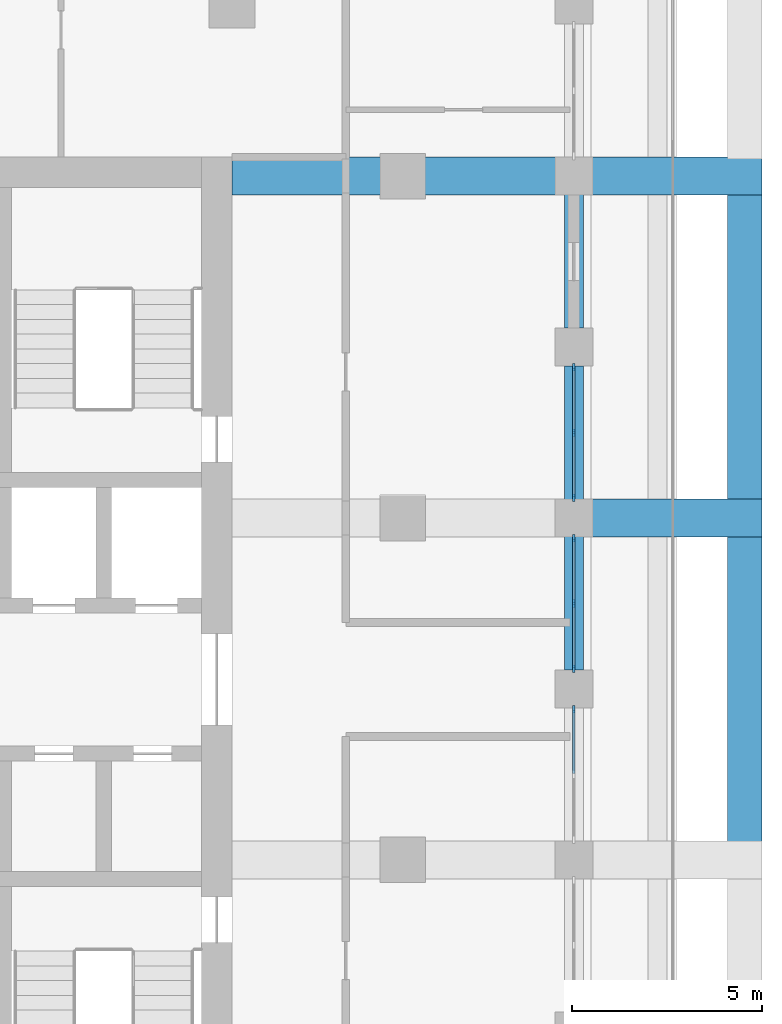
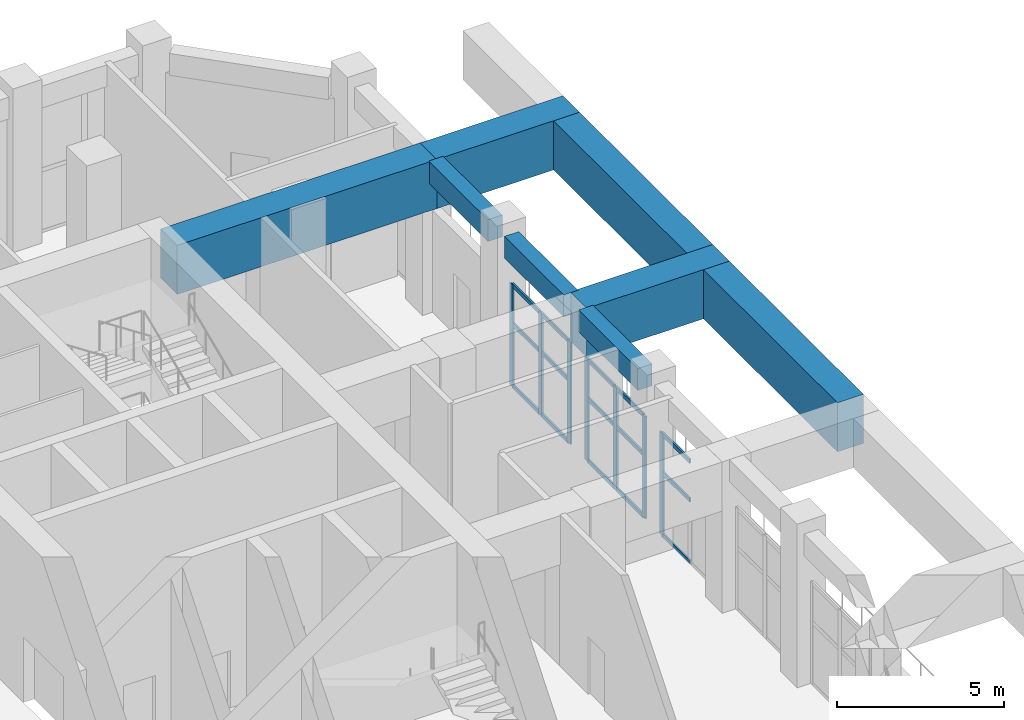
# One storey, part 8 of 25: 22 members, 8 beams, 3 elements without a shape of their own.
"""IFC4 building model written with IfcOpenShell, lengths in metres."""

from ifc_helpers import new_model, si_unit, direction, frame, origin, origin_2d, place, context, subcontext, project, spatial, rectangle, extrude, material, material_profile, profile_set, type_object, element, aggregate, save


model = new_model("IFC4")

# Units and contexts
model_context = context("Model", 3, precision=1e-05, world=origin(), true_north=direction((0.0, 1.0)))
body_context = subcontext(model_context, "Body", "Model", "MODEL_VIEW")
ifc_project = project(units=[si_unit("LENGTHUNIT", "METRE"), si_unit("AREAUNIT", "SQUARE_METRE"), si_unit("VOLUMEUNIT", "CUBIC_METRE"), si_unit("PLANEANGLEUNIT", "RADIAN"), si_unit("MASSUNIT", "GRAM", prefix="KILO")], contexts=[model_context])

# Site, building, storey
site_placement = place(None, origin())
site = spatial("IfcSite", under=ifc_project, at=site_placement, CompositionType="ELEMENT")
building_placement = place(site_placement, origin())
building = spatial("IfcBuilding", under=site, at=building_placement, Name="Corbel Stack Research Tower", CompositionType="ELEMENT")
storey_placement = place(building_placement, frame((0.0, 0.0, 185.5)))
storey = spatial("IfcBuildingStorey", under=building, at=storey_placement, Name="L42", CompositionType="ELEMENT", Elevation=185.5)

# Curtain wall, member
ifc_material_1 = material(Name="Aluminium frame, clear glass", Category="aluminium")
curtain_wall_type = type_object("IfcCurtainWallType", Name="Upper amenity floor curtain wall CW3", PredefinedType="NOTDEFINED", material=ifc_material_1)
curtain_wall_1_placement = place(storey_placement, origin())
curtain_wall_1 = element("IfcCurtainWall", 1, at=curtain_wall_1_placement, inside=storey, type_object=curtain_wall_type, Name="Curtain wall CW3 L42 E06", PredefinedType="NOTDEFINED")
ifc_material_2 = material(Name="Aluminium mullion", Category="aluminium")
ifc_material_profile_1 = material_profile(ifc_material_2, rectangle(XDim=0.06005859375, YDim=0.199951171875, at=origin_2d()), Name="Mullion 60 x 200")
ifc_profile_set_1 = profile_set([ifc_material_profile_1], Name="Aluminium mullion")
member_type_1 = type_object("IfcMemberType", Name="Curtain wall mullion 60 x 200", PredefinedType="MULLION", material=ifc_profile_set_1)
member_1_placement = place(storey_placement, frame((27.0, 3.969970703125, 0.0), z_axis=(0.0, 0.0, 1.0), x_axis=(-1.0, 0.0, 0.0)))
member_1 = element("IfcMember", 2, at=member_1_placement, type_object=member_type_1, Name="CW3 mullion 3", PredefinedType="MULLION", context=body_context, shape_type="SweptSolid", body=[
    extrude(rectangle(XDim=0.06005859375, YDim=0.199951171875, at=origin_2d()), origin(), (0.0, 0.0, 1.0), 3.75),
])

# Curtain wall, members
curtain_wall_2_placement = place(storey_placement, origin())
curtain_wall_2 = element("IfcCurtainWall", 3, at=curtain_wall_2_placement, inside=storey, type_object=curtain_wall_type, Name="Curtain wall CW3 L42 E07", PredefinedType="NOTDEFINED")
member_2_placement = place(storey_placement, frame((27.0, 5.030029296875, 0.0), z_axis=(0.0, 0.0, 1.0), x_axis=(-1.0, 0.0, 0.0)))
member_2 = element("IfcMember", 4, at=member_2_placement, type_object=member_type_1, Name="CW3 mullion 1", PredefinedType="MULLION", context=body_context, shape_type="SweptSolid", body=[
    extrude(rectangle(XDim=0.06005859375, YDim=0.199951171875, at=origin_2d()), origin(), (0.0, 0.0, 1.0), 3.75),
])
member_3_placement = place(storey_placement, frame((27.0, 6.75, 0.0), z_axis=(0.0, 0.0, 1.0), x_axis=(-1.0, 0.0, 0.0)))
member_3 = element("IfcMember", 5, at=member_3_placement, type_object=member_type_1, Name="CW3 mullion 2", PredefinedType="MULLION", context=body_context, shape_type="SweptSolid", body=[
    extrude(rectangle(XDim=0.06005859375, YDim=0.199951171875, at=origin_2d()), origin(), (0.0, 0.0, 1.0), 3.75),
])
member_4_placement = place(storey_placement, frame((27.0, 8.469970703125, 0.0), z_axis=(0.0, 0.0, 1.0), x_axis=(-1.0, 0.0, 0.0)))
member_4 = element("IfcMember", 6, at=member_4_placement, type_object=member_type_1, Name="CW3 mullion 3", PredefinedType="MULLION", context=body_context, shape_type="SweptSolid", body=[
    extrude(rectangle(XDim=0.06005859375, YDim=0.199951171875, at=origin_2d()), origin(), (0.0, 0.0, 1.0), 3.75),
])

curtain_wall_3_placement = place(storey_placement, origin())
curtain_wall_3 = element("IfcCurtainWall", 7, at=curtain_wall_3_placement, inside=storey, type_object=curtain_wall_type, Name="Curtain wall CW3 L42 E08", PredefinedType="NOTDEFINED")
member_5_placement = place(storey_placement, frame((27.0, 9.530029296875, 0.0), z_axis=(0.0, 0.0, 1.0), x_axis=(-1.0, 0.0, 0.0)))
member_5 = element("IfcMember", 8, at=member_5_placement, type_object=member_type_1, Name="CW3 mullion 1", PredefinedType="MULLION", context=body_context, shape_type="SweptSolid", body=[
    extrude(rectangle(XDim=0.06005859375, YDim=0.199951171875, at=origin_2d()), origin(), (0.0, 0.0, 1.0), 3.75),
])
member_6_placement = place(storey_placement, frame((27.0, 11.25, 0.0), z_axis=(0.0, 0.0, 1.0), x_axis=(-1.0, 0.0, 0.0)))
member_6 = element("IfcMember", 9, at=member_6_placement, type_object=member_type_1, Name="CW3 mullion 2", PredefinedType="MULLION", context=body_context, shape_type="SweptSolid", body=[
    extrude(rectangle(XDim=0.06005859375, YDim=0.199951171875, at=origin_2d()), origin(), (0.0, 0.0, 1.0), 3.75),
])
member_7_placement = place(storey_placement, frame((27.0, 12.969970703125, 0.0), z_axis=(0.0, 0.0, 1.0), x_axis=(-1.0, 0.0, 0.0)))
member_7 = element("IfcMember", 10, at=member_7_placement, type_object=member_type_1, Name="CW3 mullion 3", PredefinedType="MULLION", context=body_context, shape_type="SweptSolid", body=[
    extrude(rectangle(XDim=0.06005859375, YDim=0.199951171875, at=origin_2d()), origin(), (0.0, 0.0, 1.0), 3.75),
])

# Member
ifc_material_3 = material(Name="Aluminium transom", Category="aluminium")
ifc_material_profile_2 = material_profile(ifc_material_3, rectangle(XDim=0.06005859375, YDim=0.14990234375, at=origin_2d()), Name="Transom 60 x 150")
ifc_profile_set_2 = profile_set([ifc_material_profile_2], Name="Aluminium transom")
member_type_2 = type_object("IfcMemberType", Name="Curtain wall transom 60 x 150", PredefinedType="USERDEFINED", material=ifc_profile_set_2)
member_8_placement = place(storey_placement, frame((27.0, 2.280029296875, 0.030029296875), z_axis=(0.0, 1.0, 0.0), x_axis=(-1.0, 0.0, 0.0)))
member_8 = element("IfcMember", 11, at=member_8_placement, type_object=member_type_2, Name="CW3 transom 2.1", ObjectType="TRANSOM", PredefinedType="USERDEFINED", context=body_context, shape_type="SweptSolid", body=[
    extrude(rectangle(XDim=0.06005859375, YDim=0.14990234375, at=origin_2d()), origin(), (0.0, 0.0, 1.0), 1.659912109375),
])

member_9_placement = place(storey_placement, frame((27.0, 2.280029296875, 2.300048828125), z_axis=(0.0, 1.0, 0.0), x_axis=(-1.0, 0.0, 0.0)))
member_9 = element("IfcMember", 12, at=member_9_placement, type_object=member_type_2, Name="CW3 transom 2.2", ObjectType="TRANSOM", PredefinedType="USERDEFINED", context=body_context, shape_type="SweptSolid", body=[
    extrude(rectangle(XDim=0.06005859375, YDim=0.14990234375, at=origin_2d()), origin(), (0.0, 0.0, 1.0), 1.659912109375),
])

member_10_placement = place(storey_placement, frame((27.0, 2.280029296875, 3.719970703125), z_axis=(0.0, 1.0, 0.0), x_axis=(-1.0, 0.0, 0.0)))
member_10 = element("IfcMember", 13, at=member_10_placement, type_object=member_type_2, Name="CW3 transom 2.3", ObjectType="TRANSOM", PredefinedType="USERDEFINED", context=body_context, shape_type="SweptSolid", body=[
    extrude(rectangle(XDim=0.06005859375, YDim=0.14990234375, at=origin_2d()), origin(), (0.0, 0.0, 1.0), 1.659912109375),
])

aggregate(curtain_wall_1, [member_1, member_8, member_9, member_10])

member_11_placement = place(storey_placement, frame((27.0, 5.06005859375, 0.030029296875), z_axis=(0.0, 1.0, 0.0), x_axis=(-1.0, 0.0, 0.0)))
member_11 = element("IfcMember", 14, at=member_11_placement, type_object=member_type_2, Name="CW3 transom 1.1", ObjectType="TRANSOM", PredefinedType="USERDEFINED", context=body_context, shape_type="SweptSolid", body=[
    extrude(rectangle(XDim=0.06005859375, YDim=0.14990234375, at=origin_2d()), origin(), (0.0, 0.0, 1.0), 1.659912109375),
])

member_12_placement = place(storey_placement, frame((27.0, 5.06005859375, 2.300048828125), z_axis=(0.0, 1.0, 0.0), x_axis=(-1.0, 0.0, 0.0)))
member_12 = element("IfcMember", 15, at=member_12_placement, type_object=member_type_2, Name="CW3 transom 1.2", ObjectType="TRANSOM", PredefinedType="USERDEFINED", context=body_context, shape_type="SweptSolid", body=[
    extrude(rectangle(XDim=0.06005859375, YDim=0.14990234375, at=origin_2d()), origin(), (0.0, 0.0, 1.0), 1.659912109375),
])

member_13_placement = place(storey_placement, frame((27.0, 5.06005859375, 3.719970703125), z_axis=(0.0, 1.0, 0.0), x_axis=(-1.0, 0.0, 0.0)))
member_13 = element("IfcMember", 16, at=member_13_placement, type_object=member_type_2, Name="CW3 transom 1.3", ObjectType="TRANSOM", PredefinedType="USERDEFINED", context=body_context, shape_type="SweptSolid", body=[
    extrude(rectangle(XDim=0.06005859375, YDim=0.14990234375, at=origin_2d()), origin(), (0.0, 0.0, 1.0), 1.659912109375),
])

member_14_placement = place(storey_placement, frame((27.0, 6.780029296875, 0.030029296875), z_axis=(0.0, 1.0, 0.0), x_axis=(-1.0, 0.0, 0.0)))
member_14 = element("IfcMember", 17, at=member_14_placement, type_object=member_type_2, Name="CW3 transom 2.1", ObjectType="TRANSOM", PredefinedType="USERDEFINED", context=body_context, shape_type="SweptSolid", body=[
    extrude(rectangle(XDim=0.06005859375, YDim=0.14990234375, at=origin_2d()), origin(), (0.0, 0.0, 1.0), 1.659912109375),
])

member_15_placement = place(storey_placement, frame((27.0, 6.780029296875, 2.300048828125), z_axis=(0.0, 1.0, 0.0), x_axis=(-1.0, 0.0, 0.0)))
member_15 = element("IfcMember", 18, at=member_15_placement, type_object=member_type_2, Name="CW3 transom 2.2", ObjectType="TRANSOM", PredefinedType="USERDEFINED", context=body_context, shape_type="SweptSolid", body=[
    extrude(rectangle(XDim=0.06005859375, YDim=0.14990234375, at=origin_2d()), origin(), (0.0, 0.0, 1.0), 1.659912109375),
])

member_16_placement = place(storey_placement, frame((27.0, 6.780029296875, 3.719970703125), z_axis=(0.0, 1.0, 0.0), x_axis=(-1.0, 0.0, 0.0)))
member_16 = element("IfcMember", 19, at=member_16_placement, type_object=member_type_2, Name="CW3 transom 2.3", ObjectType="TRANSOM", PredefinedType="USERDEFINED", context=body_context, shape_type="SweptSolid", body=[
    extrude(rectangle(XDim=0.06005859375, YDim=0.14990234375, at=origin_2d()), origin(), (0.0, 0.0, 1.0), 1.659912109375),
])

aggregate(curtain_wall_2, [member_2, member_3, member_4, member_11, member_12, member_13, member_14, member_15, member_16])

member_17_placement = place(storey_placement, frame((27.0, 9.56005859375, 0.030029296875), z_axis=(0.0, 1.0, 0.0), x_axis=(-1.0, 0.0, 0.0)))
member_17 = element("IfcMember", 20, at=member_17_placement, type_object=member_type_2, Name="CW3 transom 1.1", ObjectType="TRANSOM", PredefinedType="USERDEFINED", context=body_context, shape_type="SweptSolid", body=[
    extrude(rectangle(XDim=0.06005859375, YDim=0.14990234375, at=origin_2d()), origin(), (0.0, 0.0, 1.0), 1.659912109375),
])

member_18_placement = place(storey_placement, frame((27.0, 9.56005859375, 2.300048828125), z_axis=(0.0, 1.0, 0.0), x_axis=(-1.0, 0.0, 0.0)))
member_18 = element("IfcMember", 21, at=member_18_placement, type_object=member_type_2, Name="CW3 transom 1.2", ObjectType="TRANSOM", PredefinedType="USERDEFINED", context=body_context, shape_type="SweptSolid", body=[
    extrude(rectangle(XDim=0.06005859375, YDim=0.14990234375, at=origin_2d()), origin(), (0.0, 0.0, 1.0), 1.659912109375),
])

member_19_placement = place(storey_placement, frame((27.0, 9.56005859375, 3.719970703125), z_axis=(0.0, 1.0, 0.0), x_axis=(-1.0, 0.0, 0.0)))
member_19 = element("IfcMember", 22, at=member_19_placement, type_object=member_type_2, Name="CW3 transom 1.3", ObjectType="TRANSOM", PredefinedType="USERDEFINED", context=body_context, shape_type="SweptSolid", body=[
    extrude(rectangle(XDim=0.06005859375, YDim=0.14990234375, at=origin_2d()), origin(), (0.0, 0.0, 1.0), 1.659912109375),
])

member_20_placement = place(storey_placement, frame((27.0, 11.280029296875, 0.030029296875), z_axis=(0.0, 1.0, 0.0), x_axis=(-1.0, 0.0, 0.0)))
member_20 = element("IfcMember", 23, at=member_20_placement, type_object=member_type_2, Name="CW3 transom 2.1", ObjectType="TRANSOM", PredefinedType="USERDEFINED", context=body_context, shape_type="SweptSolid", body=[
    extrude(rectangle(XDim=0.06005859375, YDim=0.14990234375, at=origin_2d()), origin(), (0.0, 0.0, 1.0), 1.659912109375),
])

member_21_placement = place(storey_placement, frame((27.0, 11.280029296875, 2.300048828125), z_axis=(0.0, 1.0, 0.0), x_axis=(-1.0, 0.0, 0.0)))
member_21 = element("IfcMember", 24, at=member_21_placement, type_object=member_type_2, Name="CW3 transom 2.2", ObjectType="TRANSOM", PredefinedType="USERDEFINED", context=body_context, shape_type="SweptSolid", body=[
    extrude(rectangle(XDim=0.06005859375, YDim=0.14990234375, at=origin_2d()), origin(), (0.0, 0.0, 1.0), 1.659912109375),
])

member_22_placement = place(storey_placement, frame((27.0, 11.280029296875, 3.719970703125), z_axis=(0.0, 1.0, 0.0), x_axis=(-1.0, 0.0, 0.0)))
member_22 = element("IfcMember", 25, at=member_22_placement, type_object=member_type_2, Name="CW3 transom 2.3", ObjectType="TRANSOM", PredefinedType="USERDEFINED", context=body_context, shape_type="SweptSolid", body=[
    extrude(rectangle(XDim=0.06005859375, YDim=0.14990234375, at=origin_2d()), origin(), (0.0, 0.0, 1.0), 1.659912109375),
])

aggregate(curtain_wall_3, [member_5, member_6, member_7, member_17, member_18, member_19, member_20, member_21, member_22])

# Beams
ifc_material_4 = material(Name="Concrete C60/75", Category="concrete")
ifc_material_profile_3 = material_profile(ifc_material_4, rectangle(XDim=0.5, YDim=0.800048828125, at=origin_2d()), Name="RC 500 x 800")
ifc_profile_set_3 = profile_set([ifc_material_profile_3], Name="Concrete C60/75")
beam_type_1 = type_object("IfcBeamType", Name="SB-500-800-450", PredefinedType="SPANDREL", material=ifc_profile_set_3)
for number, where, z_axis, x_axis, name in (
    (26, (27.0, 5.0, 5.14990234375), (0.0, 1.0, 0.0), (-1.0, 0.0, 0.0), "Spandrel beam L42-18"),
    (27, (27.0, 9.449951171875, 5.14990234375), (0.0, 1.0, 0.0), (-1.0, 0.0, 0.0), "Spandrel beam L42-19"),
    (28, (27.0, 14.0, 5.14990234375), (0.0, 1.0, 0.0), (-1.0, 0.0, 0.0), "Spandrel beam L42-20"),
):
    element("IfcBeam", number, at=place(storey_placement, frame(where, z_axis=z_axis, x_axis=x_axis)), inside=storey, type_object=beam_type_1, Name=name, PredefinedType="SPANDREL", context=body_context, shape_type="SweptSolid", body=[
        extrude(rectangle(XDim=0.5, YDim=0.800048828125, at=origin_2d()), origin(), (0.0, 0.0, 1.0), 3.550048828125),
    ])
ifc_material_5 = material(Name="Concrete C60/75", Category="concrete")
ifc_material_profile_4 = material_profile(ifc_material_5, rectangle(XDim=1.0, YDim=1.800048828125, at=origin_2d()), Name="RC 1000 x 1800")
ifc_profile_set_4 = profile_set([ifc_material_profile_4], Name="Concrete C60/75")
beam_type_2 = type_object("IfcBeamType", Name="TG-1000-1800", PredefinedType="BEAM", material=ifc_profile_set_4)
for number, where, z_axis, x_axis, name in (
    (29, (31.949951171875, 9.0, 4.64990234375), (-1.0, 0.0, 0.0), (0.0, -1.0, 0.0), "Transfer girder L42 E9c"),
    (30, (31.949951171875, 18.0, 4.64990234375), (-1.0, 0.0, 0.0), (0.0, -1.0, 0.0), "Transfer girder L42 E18c"),
):
    element("IfcBeam", number, at=place(storey_placement, frame(where, z_axis=z_axis, x_axis=x_axis)), inside=storey, type_object=beam_type_2, Name=name, PredefinedType="BEAM", context=body_context, shape_type="SweptSolid", body=[
        extrude(rectangle(XDim=1.0, YDim=1.800048828125, at=origin_2d()), origin(), (0.0, 0.0, 1.0), 4.949951171875),
    ])
beam_placement = place(storey_placement, frame((27.0, 18.0, 4.64990234375), z_axis=(-1.0, 0.0, 0.0), x_axis=(0.0, -1.0, 0.0)))
element("IfcBeam", 31, at=beam_placement, inside=storey, type_object=beam_type_2, Name="Transfer girder L42 E18b", PredefinedType="BEAM", context=body_context, shape_type="SweptSolid", body=[
    extrude(rectangle(XDim=1.0, YDim=1.800048828125, at=origin_2d()), origin(), (0.0, 0.0, 1.0), 9.0),
])
ifc_material_6 = material(Name="Concrete C60/75", Category="concrete")
ifc_material_profile_5 = material_profile(ifc_material_6, rectangle(XDim=0.89990234375, YDim=1.800048828125, at=origin_2d()), Name="RC 900 x 1800")
ifc_profile_set_5 = profile_set([ifc_material_profile_5], Name="Concrete C60/75")
beam_type_3 = type_object("IfcBeamType", Name="TG-900-1800", PredefinedType="BEAM", material=ifc_profile_set_5)
for number, where, z_axis, x_axis, name in (
    (32, (31.5, 0.449951171875, 4.64990234375), (0.0, 1.0, 0.0), (-1.0, 0.0, 0.0), "Transfer edge beam L42 Ee0"),
    (33, (31.5, 9.449951171875, 4.64990234375), (0.0, 1.0, 0.0), (-1.0, 0.0, 0.0), "Transfer edge beam L42 Ee9"),
):
    element("IfcBeam", number, at=place(storey_placement, frame(where, z_axis=z_axis, x_axis=x_axis)), inside=storey, type_object=beam_type_3, Name=name, PredefinedType="BEAM", context=body_context, shape_type="SweptSolid", body=[
        extrude(rectangle(XDim=0.89990234375, YDim=1.800048828125, at=origin_2d()), origin(), (0.0, 0.0, 1.0), 8.10009765625),
    ])

save(model, "model.ifc")
